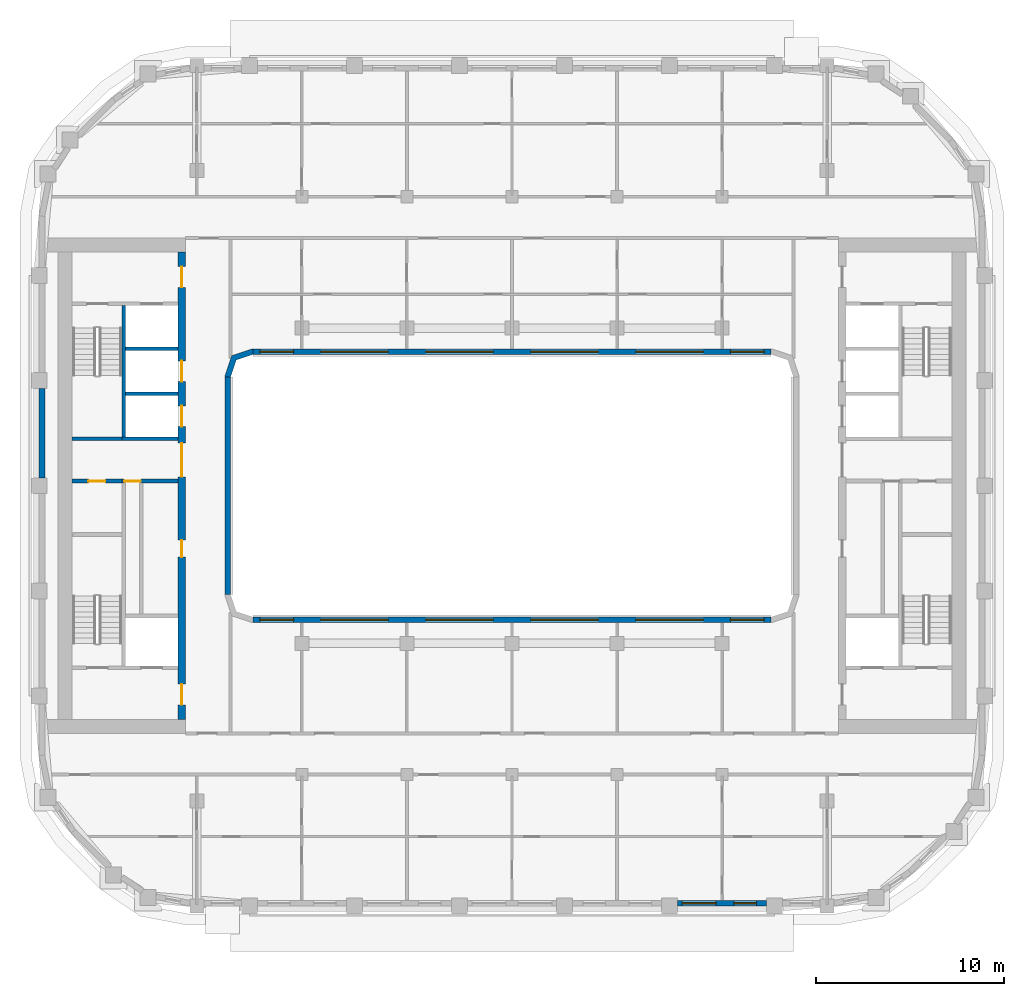
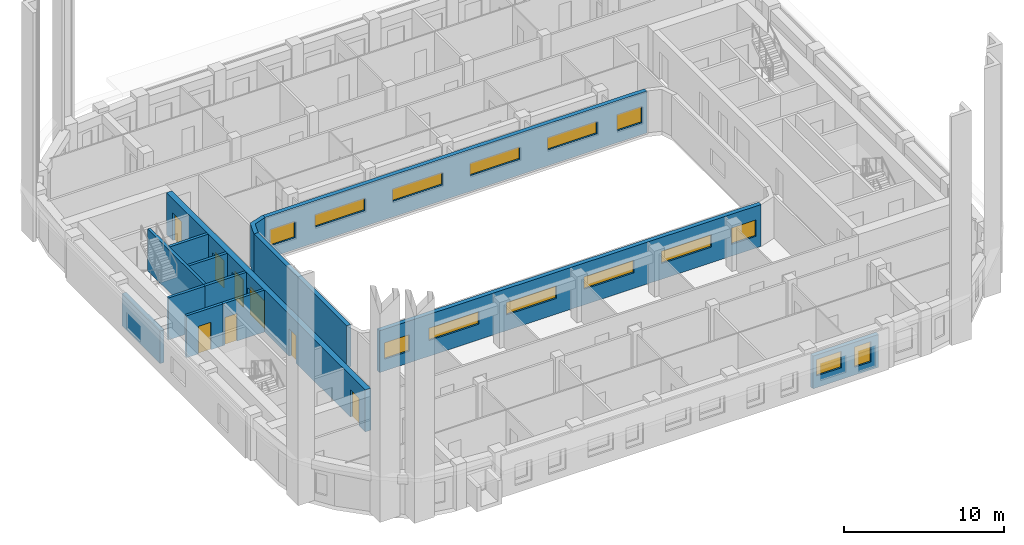
# One storey, part 4 of 21: 14 walls, 14 windows, 8 doors, 22 openings.
"""IFC4 building model written with IfcOpenShell, lengths in metres."""

import ifcopenshell
import ifcopenshell.guid

model = None  # the IFC model being written
_history = None  # IfcOwnerHistory: only IFC2X3 demands one
_inside = {}  # id of a spatial element -> (the spatial element, [elements in it])
_under = {}  # id of a project, library or spatial element -> (it, [spatial elements below it])
_declared = {}  # id of a project -> (the project, [libraries it declares])
_typed = {}  # id of a type object -> (the type object, [elements of that type])
_made_of = {}  # id of a material, layer set ... -> (it, [elements and type objects made of it])


def new_model(schema):
    """Start an empty IFC model of exactly this schema.

    Asked for "IFC4X3", IfcOpenShell would pick the latest addendum, in which some entities
    have other attributes; the version numbers below select the first issue.
    IFC2X3 requires an IfcOwnerHistory on every rooted entity: one is made here for all.
    """
    global model, _history
    if schema == "IFC4X3":
        model = ifcopenshell.file(schema_version=(4, 3, 0, 0))
    else:
        model = ifcopenshell.file(schema=schema)
    _inside.clear()
    _under.clear()
    _declared.clear()
    _typed.clear()
    _made_of.clear()
    _history = None
    if model.schema == "IFC2X3":
        org = make("IfcOrganization", Name="unknown")
        user = make(
            "IfcPersonAndOrganization",
            ThePerson=make("IfcPerson", FamilyName="unknown"),
            TheOrganization=org,
        )
        app = make(
            "IfcApplication",
            ApplicationDeveloper=org,
            Version="unknown",
            ApplicationFullName="unknown",
            ApplicationIdentifier="unknown",
        )
        _history = make(
            "IfcOwnerHistory",
            OwningUser=user,
            OwningApplication=app,
            ChangeAction="ADDED",
            CreationDate=0,
        )
    return model


def make(cls, **values):
    """One entity of the class cls with the attributes given. An attribute that is None is left unset."""
    return model.create_entity(
        cls, **{name: value for name, value in values.items() if value is not None}
    )


def rooted(cls, **values):
    """An entity with a GlobalId (a new one), such as an element, a storey or a relation."""
    return make(cls, GlobalId=ifcopenshell.guid.new(), OwnerHistory=_history, **values)


def si_unit(unit_type, name, prefix=None):
    """IfcSIUnit, for example si_unit("LENGTHUNIT", "METRE", prefix="MILLI")."""
    return make("IfcSIUnit", UnitType=unit_type, Prefix=prefix, Name=name)


def assignment(units):
    """IfcUnitAssignment: the units of a project."""
    return None if units is None else make("IfcUnitAssignment", Units=units)


def point(xyz):
    """IfcCartesianPoint."""
    return None if xyz is None else make("IfcCartesianPoint", Coordinates=xyz)


def direction(xyz):
    """IfcDirection."""
    return None if xyz is None else make("IfcDirection", DirectionRatios=xyz)


def frame(location, z_axis=None, x_axis=None):
    """IfcAxis2Placement3D, a coordinate frame: its origin and axes. An axis left out is left unset."""
    return make(
        "IfcAxis2Placement3D",
        Location=point(location),
        Axis=direction(z_axis),
        RefDirection=direction(x_axis),
    )


def frame_2d(location, x_axis=None):
    """IfcAxis2Placement2D, a coordinate frame in the plane: its origin and x axis."""
    return make(
        "IfcAxis2Placement2D", Location=point(location), RefDirection=direction(x_axis)
    )


def origin():
    """The frame at (0, 0, 0) with its axes left unset."""
    return frame((0.0, 0.0, 0.0))


def place(relative_to, where):
    """IfcLocalPlacement: puts the frame where relative to a parent placement (None: the world)."""
    return make(
        "IfcLocalPlacement", PlacementRelTo=relative_to, RelativePlacement=where
    )


def context(
    kind, dimensions, precision=None, world=None, true_north=None, identifier=None
):
    """IfcGeometricRepresentationContext, for example the 3D "Model" context."""
    return make(
        "IfcGeometricRepresentationContext",
        ContextIdentifier=identifier,
        ContextType=kind,
        CoordinateSpaceDimension=dimensions,
        Precision=precision,
        WorldCoordinateSystem=world,
        TrueNorth=true_north,
    )


def subcontext(parent, identifier, kind, view, scale=None):
    """IfcGeometricRepresentationSubContext, for example "Body" below "Model"."""
    return make(
        "IfcGeometricRepresentationSubContext",
        ContextIdentifier=identifier,
        ContextType=kind,
        ParentContext=parent,
        TargetScale=scale,
        TargetView=view,
    )


def project(units=None, contexts=None):
    """IfcProject with its units and contexts."""
    return rooted(
        "IfcProject",
        Name="project",
        RepresentationContexts=contexts,
        UnitsInContext=assignment(units),
    )


def spatial(cls, under=None, at=None, **own):
    """A site, building, storey or space (cls), placed at a placement, below another one or the project."""
    s = rooted(cls, ObjectPlacement=at, **own)
    if under is not None:
        _under.setdefault(under.id(), (under, []))[1].append(s)
    return s


def polyline(points):
    """IfcPolyline through the points."""
    return make("IfcPolyline", Points=[point(p) for p in points])


def profile(cls, at=None, kind="AREA", **sizes):
    """A parametric profile (cls). Its sizes go by their IFC names, for example OverallWidth=200.0."""
    return make(cls, ProfileType=kind, Position=at, **sizes)


def rectangle(**sizes):
    """IfcRectangleProfileDef."""
    return profile("IfcRectangleProfileDef", **sizes)


def outline(outer, holes=None, kind="AREA"):
    """IfcArbitraryClosedProfileDef: a profile drawn as a closed curve; with holes, ...WithVoids."""
    if holes is None:
        return make("IfcArbitraryClosedProfileDef", ProfileType=kind, OuterCurve=outer)
    return make(
        "IfcArbitraryProfileDefWithVoids",
        ProfileType=kind,
        OuterCurve=outer,
        InnerCurves=holes,
    )


def extrude(swept, where, along, depth):
    """IfcExtrudedAreaSolid: the profile swept, set in the frame where, extruded along a direction by depth."""
    return make(
        "IfcExtrudedAreaSolid",
        SweptArea=swept,
        Position=where,
        ExtrudedDirection=direction(along),
        Depth=depth,
    )


def shape(context_of_items, identifier, shape_type, items):
    """IfcShapeRepresentation: the items that make up one representation, for example the "Body"."""
    return make(
        "IfcShapeRepresentation",
        ContextOfItems=context_of_items,
        RepresentationIdentifier=identifier,
        RepresentationType=shape_type,
        Items=items,
    )


def material(Name=None, Category=None):
    """IfcMaterial."""
    return make("IfcMaterial", Name=Name, Category=Category)


def layer(
    of_material, thickness, ventilated=None, Name=None, Category=None, Priority=None
):
    """IfcMaterialLayer: one layer of a wall or slab, of a material (None: an air gap)."""
    return make(
        "IfcMaterialLayer",
        Material=of_material,
        LayerThickness=thickness,
        IsVentilated=ventilated,
        Name=Name,
        Category=Category,
        Priority=Priority,
    )


def layer_set(layers, Name=None):
    """IfcMaterialLayerSet."""
    return make("IfcMaterialLayerSet", MaterialLayers=layers, LayerSetName=Name)


def made_of(thing, what):
    """Note that an element or type object is made of a material, layer set ...; save() writes the relation."""
    if what is not None:
        _made_of.setdefault(what.id(), (what, []))[1].append(thing)
    return thing


def type_object(cls, material=None, **own):
    """A type object (cls), such as IfcWallType, which elements share."""
    return made_of(rooted(cls, **own), material)


def element(
    cls,
    number,
    at=None,
    inside=None,
    cuts=None,
    type_object=None,
    material=None,
    context=None,
    identifier="Body",
    shape_type=None,
    held_by="IfcProductDefinitionShape",
    body=None,
    shapes=None,
    **own,
):
    """One element of the class cls, such as IfcWall. Its Tag is "e" and its number.

    at: its placement. inside: the storey or other place that contains it. cuts: it is an
    opening in that element (IfcRelVoidsElement). A single representation is given by context,
    identifier, shape_type and body (its items); several are given by shapes. held_by: the class
    of the entity that holds the representations. save() writes the other relations.
    """
    e = rooted(cls, Tag="e%d" % number, ObjectPlacement=at, **own)
    if body is not None:
        shapes = [shape(context, identifier, shape_type, body)]
    if shapes is not None:
        e.Representation = make(held_by, Representations=shapes)
    if inside is not None:
        _inside.setdefault(inside.id(), (inside, []))[1].append(e)
    if cuts is not None:
        rooted(
            "IfcRelVoidsElement", RelatingBuildingElement=cuts, RelatedOpeningElement=e
        )
    if type_object is not None:
        _typed.setdefault(type_object.id(), (type_object, []))[1].append(e)
    return made_of(e, material)


def fill(opening, filler):
    """IfcRelFillsElement: the door or window that sits in an opening."""
    return rooted(
        "IfcRelFillsElement",
        RelatingOpeningElement=opening,
        RelatedBuildingElement=filler,
    )


def aggregate(whole, parts):
    """IfcRelAggregates: a whole, such as a stair, and the parts it consists of."""
    return rooted("IfcRelAggregates", RelatingObject=whole, RelatedObjects=parts)


def save(model, path):
    """Write the relations noted so far, then the file.

    IfcRelAggregates (storeys below a building ...), IfcRelContainedInSpatialStructure (elements
    in a storey), IfcRelDefinesByType, IfcRelAssociatesMaterial and IfcRelDeclares: one each for
    every whole, place, type object, material and project.
    """
    for whole, parts in _under.values():
        aggregate(whole, parts)
    for where, things in _inside.values():
        rooted(
            "IfcRelContainedInSpatialStructure",
            RelatedElements=things,
            RelatingStructure=where,
        )
    for kind, things in _typed.values():
        rooted("IfcRelDefinesByType", RelatedObjects=things, RelatingType=kind)
    for what, things in _made_of.values():
        rooted("IfcRelAssociatesMaterial", RelatedObjects=things, RelatingMaterial=what)
    for by, libraries in _declared.values():
        rooted("IfcRelDeclares", RelatingContext=by, RelatedDefinitions=libraries)
    model.write(path)


model = new_model("IFC4")

# Units and contexts
model_context = context("Model", 3, precision=1e-05, world=origin(), true_north=direction((0.0, 1.0)))
body_context = subcontext(model_context, "Body", "Model", "MODEL_VIEW")
ifc_project = project(units=[si_unit("LENGTHUNIT", "METRE"), si_unit("AREAUNIT", "SQUARE_METRE"), si_unit("VOLUMEUNIT", "CUBIC_METRE"), si_unit("PLANEANGLEUNIT", "RADIAN"), si_unit("MASSUNIT", "GRAM", prefix="KILO")], contexts=[model_context])

# Site, building, storey
site_placement = place(None, origin())
site = spatial("IfcSite", under=ifc_project, at=site_placement, CompositionType="ELEMENT")
building_placement = place(site_placement, origin())
building = spatial("IfcBuilding", under=site, at=building_placement, Name="Kiln Ring Residences", CompositionType="ELEMENT")
storey_placement = place(building_placement, frame((0.0, 0.0, 213.39990234375)))
storey = spatial("IfcBuildingStorey", under=building, at=storey_placement, Name="L55", CompositionType="ELEMENT", Elevation=213.39990234375)

# Wall, opening, door
ifc_material_1 = material(Name="Gypsum board on steel studs", Category="steel")
ifc_layer_1 = layer(ifc_material_1, 0.199951171875)
ifc_layer_set_1 = layer_set([ifc_layer_1], Name="CORE-PARTITION-200")
wall_type_1 = type_object("IfcWallType", Name="CORE-PARTITION-200", PredefinedType="PARTITIONING", material=ifc_layer_set_1)
wall_1_placement = place(storey_placement, frame((-20.800048828125, 0.25, 0.0), z_axis=(0.0, 0.0, 1.0), x_axis=(-1.0, 0.0, 0.0)))
wall_1 = element("IfcWall", 1, at=wall_1_placement, inside=storey, type_object=wall_type_1, Name="Core partition west L55 1", PredefinedType="PARTITIONING", context=body_context, shape_type="SweptSolid", body=[
    extrude(rectangle(XDim=2.64990234375, YDim=0.199951171875, at=frame_2d((1.324951171875, 0.0))), origin(), (0.0, 0.0, 1.0), 3.2001953125),
])
opening_1_placement = place(wall_1_placement, frame((0.875, 0.0, 0.0)))
opening_1 = element("IfcOpeningElement", 2, at=opening_1_placement, cuts=wall_1, Name="Opening L55-CW12", PredefinedType="OPENING", context=body_context, shape_type="SweptSolid", body=[
    extrude(rectangle(XDim=0.89990234375, YDim=2.10009765625, at=frame_2d((0.449951171875, 1.050048828125))), frame((0.0, 0.10986328125, 0.0), z_axis=(0.0, -1.0, 0.0), x_axis=(1.0, 0.0, 0.0)), (0.0, 0.0, 1.0), 0.219970703125),
])
ifc_material_2 = material(Name="Steel door leaf", Category="steel")
door_type_1 = type_object("IfcDoorType", Name="CORE-DOOR-ROOM", OperationType="SINGLE_SWING_LEFT", PredefinedType="DOOR", material=ifc_material_2)
door_1_placement = place(opening_1_placement, origin())
door_1 = element("IfcDoor", 3, at=door_1_placement, inside=storey, type_object=door_type_1, Name="Linen store L55-CW12", OperationType="SINGLE_SWING_RIGHT", OverallHeight=2.10009765625, OverallWidth=0.89990234375, PredefinedType="DOOR", context=body_context, shape_type="SweptSolid", body=[
    extrude(rectangle(XDim=0.89990234375, YDim=2.10009765625, at=frame_2d((0.449951171875, 1.050048828125))), frame((0.0, 0.02490234375, 0.0), z_axis=(0.0, -1.0, 0.0), x_axis=(1.0, 0.0, 0.0)), (0.0, 0.0, 1.0), 0.050048828125),
])
fill(opening_1, door_1)

ifc_material_3 = material(Name="Gypsum shaft wall system")
ifc_layer_2 = layer(ifc_material_3, 0.199951171875)
ifc_layer_set_2 = layer_set([ifc_layer_2], Name="CORE-SHAFT-WALL-200")
wall_type_2 = type_object("IfcWallType", Name="CORE-SHAFT-WALL-200", PredefinedType="PARTITIONING", material=ifc_layer_set_2)
wall_2_placement = place(storey_placement, frame((-17.800048828125, 0.25, 0.0), z_axis=(0.0, 0.0, 1.0), x_axis=(-1.0, 0.0, 0.0)))
wall_2 = element("IfcWall", 4, at=wall_2_placement, inside=storey, type_object=wall_type_2, Name="Core partition west L55 4", PredefinedType="PARTITIONING", context=body_context, shape_type="SweptSolid", body=[
    extrude(rectangle(XDim=3.0, YDim=0.199951171875, at=frame_2d((1.5, 0.0))), origin(), (0.0, 0.0, 1.0), 3.2001953125),
])
opening_2_placement = place(wall_2_placement, frame((1.97998046875, 0.0, 0.0)))
opening_2 = element("IfcOpeningElement", 5, at=opening_2_placement, cuts=wall_2, Name="Opening L55-CW03", PredefinedType="OPENING", context=body_context, shape_type="SweptSolid", body=[
    extrude(rectangle(XDim=0.89990234375, YDim=2.10009765625, at=frame_2d((0.449951171875, 1.050048828125))), frame((0.0, 0.10986328125, 0.0), z_axis=(0.0, -1.0, 0.0), x_axis=(1.0, 0.0, 0.0)), (0.0, 0.0, 1.0), 0.219970703125),
])
door_2_placement = place(opening_2_placement, origin())
door_2 = element("IfcDoor", 6, at=door_2_placement, inside=storey, type_object=door_type_1, Name="Waste room L55-CW03", OperationType="SINGLE_SWING_LEFT", OverallHeight=2.10009765625, OverallWidth=0.89990234375, PredefinedType="DOOR", context=body_context, shape_type="SweptSolid", body=[
    extrude(rectangle(XDim=0.89990234375, YDim=2.10009765625, at=frame_2d((0.449951171875, 1.050048828125))), frame((0.0, 0.02490234375, 0.0), z_axis=(0.0, -1.0, 0.0), x_axis=(1.0, 0.0, 0.0)), (0.0, 0.0, 1.0), 0.050048828125),
])
fill(opening_2, door_2)

# Walls
wall_3_placement = place(storey_placement, frame((-17.800048828125, 2.5, 0.0), z_axis=(0.0, 0.0, 1.0), x_axis=(-1.0, 0.0, 0.0)))
element("IfcWall", 7, at=wall_3_placement, inside=storey, type_object=wall_type_2, Name="Core partition west L55 5", PredefinedType="PARTITIONING", context=body_context, shape_type="SweptSolid", body=[
    extrude(rectangle(XDim=3.0, YDim=0.199951171875, at=frame_2d((1.5, 0.0))), origin(), (0.0, 0.0, 1.0), 3.2001953125),
])
for number, where, z_axis, x_axis, name in (
    (8, (-17.800048828125, 4.89990234375, 0.0), (0.0, 0.0, 1.0), (-1.0, 0.0, 0.0), "Core partition west L55 6"),
    (9, (-17.800048828125, 7.300048828125, 0.0), (0.0, 0.0, 1.0), (-1.0, 0.0, 0.0), "Core partition west L55 7"),
):
    element("IfcWall", number, at=place(storey_placement, frame(where, z_axis=z_axis, x_axis=x_axis)), inside=storey, type_object=wall_type_2, Name=name, PredefinedType="PARTITIONING", context=body_context, shape_type="SweptSolid", body=[
        extrude(rectangle(XDim=2.800048828125, YDim=0.199951171875, at=frame_2d((1.39990234375, 0.0))), origin(), (0.0, 0.0, 1.0), 3.2001953125),
    ])
ifc_material_4 = material(Name="Concrete C40/50", Category="concrete")
ifc_layer_3 = layer(ifc_material_4, 0.199951171875)
ifc_layer_set_3 = layer_set([ifc_layer_3], Name="CORE-WALL-RC200")
wall_type_3 = type_object("IfcWallType", Name="CORE-WALL-RC200", PredefinedType="SHEAR", material=ifc_layer_set_3)
wall_4_placement = place(storey_placement, frame((-20.699951171875, 2.60009765625, 0.0), z_axis=(0.0, 0.0, 1.0), x_axis=(0.0, 1.0, 0.0)))
element("IfcWall", 10, at=wall_4_placement, inside=storey, type_object=wall_type_3, Name="Core wall west L55 1", PredefinedType="SHEAR", context=body_context, shape_type="SweptSolid", body=[
    extrude(rectangle(XDim=7.0, YDim=0.199951171875, at=frame_2d((3.5, 0.0))), origin(), (0.0, 0.0, 1.0), 3.2001953125),
])
wall_5_placement = place(storey_placement, frame((-20.800048828125, 2.5, 0.0), z_axis=(0.0, 0.0, 1.0), x_axis=(-1.0, 0.0, 0.0)))
element("IfcWall", 11, at=wall_5_placement, inside=storey, type_object=wall_type_3, Name="Core wall west L55 3", PredefinedType="SHEAR", context=body_context, shape_type="SweptSolid", body=[
    extrude(rectangle(XDim=2.64990234375, YDim=0.199951171875, at=frame_2d((1.324951171875, 0.0))), origin(), (0.0, 0.0, 1.0), 3.2001953125),
])

# Wall, openings, doors
ifc_material_5 = material(Name="Concrete C60/75", Category="concrete")
ifc_layer_4 = layer(ifc_material_5, 0.39990234375)
ifc_layer_set_4 = layer_set([ifc_layer_4], Name="CORE-WALL-RC400")
wall_type_4 = type_object("IfcWallType", Name="CORE-WALL-RC400", PredefinedType="SHEAR", material=ifc_layer_set_4)
wall_6_placement = place(storey_placement, frame((-17.60009765625, -12.449951171875, 0.0), z_axis=(0.0, 0.0, 1.0), x_axis=(0.0, 1.0, 0.0)))
wall_6 = element("IfcWall", 12, at=wall_6_placement, inside=storey, type_object=wall_type_4, Name="Core wall west L55 6", PredefinedType="SHEAR", context=body_context, shape_type="SweptSolid", body=[
    extrude(rectangle(XDim=24.89990234375, YDim=0.39990234375, at=frame_2d((12.449951171875, 0.0))), origin(), (0.0, 0.0, 1.0), 3.2001953125),
])
opening_3_placement = place(wall_6_placement, frame((8.64990234375, 0.0, 0.0)))
opening_3 = element("IfcOpeningElement", 13, at=opening_3_placement, cuts=wall_6, Name="Opening L55-CW02", PredefinedType="OPENING", context=body_context, shape_type="SweptSolid", body=[
    extrude(rectangle(XDim=0.89990234375, YDim=2.10009765625, at=frame_2d((0.449951171875, 1.050048828125))), frame((0.0, 0.2099609375, 0.0), z_axis=(0.0, -1.0, 0.0), x_axis=(1.0, 0.0, 0.0)), (0.0, 0.0, 1.0), 0.419921875),
])
opening_4_placement = place(wall_6_placement, frame((15.60009765625, 0.0, 0.0)))
opening_4 = element("IfcOpeningElement", 14, at=opening_4_placement, cuts=wall_6, Name="Opening L55-CW04", PredefinedType="OPENING", context=body_context, shape_type="SweptSolid", body=[
    extrude(rectangle(XDim=1.10009765625, YDim=2.10009765625, at=frame_2d((0.550048828125, 1.050048828125))), frame((0.0, 0.2099609375, 0.0), z_axis=(0.0, -1.0, 0.0), x_axis=(1.0, 0.0, 0.0)), (0.0, 0.0, 1.0), 0.419921875),
])
opening_5_placement = place(wall_6_placement, frame((18.0, 0.0, 0.0)))
opening_5 = element("IfcOpeningElement", 15, at=opening_5_placement, cuts=wall_6, Name="Opening L55-CW05", PredefinedType="OPENING", context=body_context, shape_type="SweptSolid", body=[
    extrude(rectangle(XDim=1.10009765625, YDim=2.10009765625, at=frame_2d((0.550048828125, 1.050048828125))), frame((0.0, 0.2099609375, 0.0), z_axis=(0.0, -1.0, 0.0), x_axis=(1.0, 0.0, 0.0)), (0.0, 0.0, 1.0), 0.419921875),
])
opening_6_placement = place(wall_6_placement, frame((23.02490234375, 0.0, 0.0)))
opening_6 = element("IfcOpeningElement", 16, at=opening_6_placement, cuts=wall_6, Name="Opening L55-CW07", PredefinedType="OPENING", context=body_context, shape_type="SweptSolid", body=[
    extrude(rectangle(XDim=1.10009765625, YDim=2.10009765625, at=frame_2d((0.550048828125, 1.050048828125))), frame((0.0, 0.2099609375, 0.0), z_axis=(0.0, -1.0, 0.0), x_axis=(1.0, 0.0, 0.0)), (0.0, 0.0, 1.0), 0.419921875),
])
opening_7_placement = place(wall_6_placement, frame((0.77490234375, 0.0, 0.0)))
opening_7 = element("IfcOpeningElement", 17, at=opening_7_placement, cuts=wall_6, Name="Opening L55-CW08", PredefinedType="OPENING", context=body_context, shape_type="SweptSolid", body=[
    extrude(rectangle(XDim=1.10009765625, YDim=2.10009765625, at=frame_2d((0.550048828125, 1.050048828125))), frame((0.0, 0.2099609375, 0.0), z_axis=(0.0, -1.0, 0.0), x_axis=(1.0, 0.0, 0.0)), (0.0, 0.0, 1.0), 0.419921875),
])
opening_8_placement = place(wall_6_placement, frame((12.925048828125, 0.0, 0.0)))
opening_8 = element("IfcOpeningElement", 18, at=opening_8_placement, cuts=wall_6, Name="Opening L55-CW11", PredefinedType="OPENING", context=body_context, shape_type="SweptSolid", body=[
    extrude(rectangle(XDim=1.800048828125, YDim=2.10009765625, at=frame_2d((0.89990234375, 1.050048828125))), frame((0.0, 0.2099609375, 0.0), z_axis=(0.0, -1.0, 0.0), x_axis=(1.0, 0.0, 0.0)), (0.0, 0.0, 1.0), 0.419921875),
])
ifc_material_6 = material(Name="Steel door leaf", Category="steel")
door_type_2 = type_object("IfcDoorType", Name="CORE-DOOR-LD", OperationType="DOUBLE_DOOR_SLIDING", PredefinedType="DOOR", material=ifc_material_6)
door_3_placement = place(opening_4_placement, origin())
door_3 = element("IfcDoor", 19, at=door_3_placement, inside=storey, type_object=door_type_2, Name="LD W-M1 L55-CW04", OperationType="DOUBLE_DOOR_SLIDING", OverallHeight=2.10009765625, OverallWidth=1.10009765625, PredefinedType="DOOR", context=body_context, shape_type="SweptSolid", body=[
    extrude(rectangle(XDim=1.10009765625, YDim=2.10009765625, at=frame_2d((0.550048828125, 1.050048828125))), frame((0.0, 0.02490234375, 0.0), z_axis=(0.0, -1.0, 0.0), x_axis=(1.0, 0.0, 0.0)), (0.0, 0.0, 1.0), 0.050048828125),
])
fill(opening_4, door_3)
door_4_placement = place(opening_5_placement, origin())
door_4 = element("IfcDoor", 20, at=door_4_placement, inside=storey, type_object=door_type_2, Name="LD W-M2 L55-CW05", OperationType="DOUBLE_DOOR_SLIDING", OverallHeight=2.10009765625, OverallWidth=1.10009765625, PredefinedType="DOOR", context=body_context, shape_type="SweptSolid", body=[
    extrude(rectangle(XDim=1.10009765625, YDim=2.10009765625, at=frame_2d((0.550048828125, 1.050048828125))), frame((0.0, 0.02490234375, 0.0), z_axis=(0.0, -1.0, 0.0), x_axis=(1.0, 0.0, 0.0)), (0.0, 0.0, 1.0), 0.050048828125),
])
fill(opening_5, door_4)
ifc_material_7 = material(Name="Steel door leaf", Category="steel")
door_type_3 = type_object("IfcDoorType", Name="CORE-DOOR-LOBBY", OperationType="SINGLE_SWING_LEFT", PredefinedType="DOOR", material=ifc_material_7)
door_5_placement = place(opening_6_placement, origin())
door_5 = element("IfcDoor", 21, at=door_5_placement, inside=storey, type_object=door_type_3, Name="FFL L55-CW07", OperationType="SINGLE_SWING_RIGHT", OverallHeight=2.10009765625, OverallWidth=1.10009765625, PredefinedType="DOOR", context=body_context, shape_type="SweptSolid", body=[
    extrude(rectangle(XDim=1.10009765625, YDim=2.10009765625, at=frame_2d((0.550048828125, 1.050048828125))), frame((0.0, 0.02490234375, 0.0), z_axis=(0.0, -1.0, 0.0), x_axis=(1.0, 0.0, 0.0)), (0.0, 0.0, 1.0), 0.050048828125),
])
fill(opening_6, door_5)
door_6_placement = place(opening_7_placement, origin())
door_6 = element("IfcDoor", 22, at=door_6_placement, inside=storey, type_object=door_type_3, Name="SVL L55-CW08", OperationType="SINGLE_SWING_LEFT", OverallHeight=2.10009765625, OverallWidth=1.10009765625, PredefinedType="DOOR", context=body_context, shape_type="SweptSolid", body=[
    extrude(rectangle(XDim=1.10009765625, YDim=2.10009765625, at=frame_2d((0.550048828125, 1.050048828125))), frame((0.0, 0.02490234375, 0.0), z_axis=(0.0, -1.0, 0.0), x_axis=(1.0, 0.0, 0.0)), (0.0, 0.0, 1.0), 0.050048828125),
])
fill(opening_7, door_6)
ifc_material_8 = material(Name="Steel door leaf", Category="steel")
door_type_4 = type_object("IfcDoorType", Name="CORE-DOOR-PASS", OperationType="DOUBLE_DOOR_SINGLE_SWING", PredefinedType="DOOR", material=ifc_material_8)
door_7_placement = place(opening_8_placement, origin())
door_7 = element("IfcDoor", 23, at=door_7_placement, inside=storey, type_object=door_type_4, Name="Core passage L55-CW11", OperationType="DOUBLE_DOOR_SINGLE_SWING", OverallHeight=2.10009765625, OverallWidth=1.800048828125, PredefinedType="DOOR", context=body_context, shape_type="SweptSolid", body=[
    extrude(rectangle(XDim=1.800048828125, YDim=2.10009765625, at=frame_2d((0.89990234375, 1.050048828125))), frame((0.0, 0.02490234375, 0.0), z_axis=(0.0, -1.0, 0.0), x_axis=(1.0, 0.0, 0.0)), (0.0, 0.0, 1.0), 0.050048828125),
])
fill(opening_8, door_7)
door_8_placement = place(opening_3_placement, origin())
door_8 = element("IfcDoor", 24, at=door_8_placement, inside=storey, type_object=door_type_1, Name="Janitor's store L55-CW02", OperationType="SINGLE_SWING_RIGHT", OverallHeight=2.10009765625, OverallWidth=0.89990234375, PredefinedType="DOOR", context=body_context, shape_type="SweptSolid", body=[
    extrude(rectangle(XDim=0.89990234375, YDim=2.10009765625, at=frame_2d((0.449951171875, 1.050048828125))), frame((0.0, 0.02490234375, 0.0), z_axis=(0.0, -1.0, 0.0), x_axis=(1.0, 0.0, 0.0)), (0.0, 0.0, 1.0), 0.050048828125),
])
fill(opening_3, door_8)

# Wall, openings, windows
ifc_material_9 = material(Name="Brick masonry, dark clay brick", Category="masonry")
ifc_layer_5 = layer(ifc_material_9, 0.300048828125)
ifc_layer_set_5 = layer_set([ifc_layer_5], Name="EW-300 BRICK WALL")
wall_type_5 = type_object("IfcWallType", Name="EW-300 BRICK WALL", PredefinedType="SOLIDWALL", material=ifc_layer_set_5)
wall_7_placement = place(storey_placement, frame((8.824951171875, -22.25, 0.0), z_axis=(0.0, 0.0, 1.0), x_axis=(1.0, 0.0, 0.0)))
wall_7 = element("IfcWall", 25, at=wall_7_placement, inside=storey, type_object=wall_type_5, Name="Facade wall L55 9", PredefinedType="SOLIDWALL", context=body_context, shape_type="SweptSolid", body=[
    extrude(rectangle(XDim=4.75, YDim=0.300048828125, at=frame_2d((2.375, 0.0))), origin(), (0.0, 0.0, 1.0), 2.5),
])
opening_9_placement = place(wall_7_placement, frame((0.25, 0.0, 0.89990234375)))
opening_9 = element("IfcOpeningElement", 26, at=opening_9_placement, cuts=wall_7, Name="Opening W2", PredefinedType="OPENING", context=body_context, shape_type="SweptSolid", body=[
    extrude(rectangle(XDim=1.800048828125, YDim=1.25, at=frame_2d((0.89990234375, 0.625))), frame((0.0, 0.159912109375, 0.0), z_axis=(0.0, -1.0, 0.0), x_axis=(1.0, 0.0, 0.0)), (0.0, 0.0, 1.0), 0.320068359375),
])
opening_10_placement = place(wall_7_placement, frame((3.0, 0.0, 0.60009765625)))
opening_10 = element("IfcOpeningElement", 27, at=opening_10_placement, cuts=wall_7, Name="Opening W1", PredefinedType="OPENING", context=body_context, shape_type="SweptSolid", body=[
    extrude(rectangle(XDim=1.199951171875, YDim=1.550048828125, at=frame_2d((0.60009765625, 0.77490234375))), frame((0.0, 0.159912109375, 0.0), z_axis=(0.0, -1.0, 0.0), x_axis=(1.0, 0.0, 0.0)), (0.0, 0.0, 1.0), 0.320068359375),
])
ifc_material_10 = material(Name="Aluminium frame with double glazing", Category="aluminium")
window_type_1 = type_object("IfcWindowType", Name="WINDOW 1200 x 1550", PartitioningType="SINGLE_PANEL", PredefinedType="WINDOW", material=ifc_material_10)
window_1_placement = place(opening_10_placement, origin())
window_1 = element("IfcWindow", 28, at=window_1_placement, inside=storey, type_object=window_type_1, Name="Window L55 12", OverallHeight=1.550048828125, OverallWidth=1.199951171875, PartitioningType="SINGLE_PANEL", PredefinedType="WINDOW", context=body_context, shape_type="SweptSolid", body=[
    extrude(rectangle(XDim=1.199951171875, YDim=1.550048828125, at=frame_2d((0.60009765625, 0.77490234375))), frame((0.0, 0.030029296875, 0.0), z_axis=(0.0, -1.0, 0.0), x_axis=(1.0, 0.0, 0.0)), (0.0, 0.0, 1.0), 0.06005859375),
])
fill(opening_10, window_1)
ifc_material_11 = material(Name="Aluminium frame with double glazing", Category="aluminium")
window_type_2 = type_object("IfcWindowType", Name="WINDOW 1800 x 1250", PartitioningType="SINGLE_PANEL", PredefinedType="WINDOW", material=ifc_material_11)
window_2_placement = place(opening_9_placement, origin())
window_2 = element("IfcWindow", 29, at=window_2_placement, inside=storey, type_object=window_type_2, Name="Window L55 11", OverallHeight=1.25, OverallWidth=1.800048828125, PartitioningType="SINGLE_PANEL", PredefinedType="WINDOW", context=body_context, shape_type="SweptSolid", body=[
    extrude(rectangle(XDim=1.800048828125, YDim=1.25, at=frame_2d((0.89990234375, 0.625))), frame((0.0, 0.030029296875, 0.0), z_axis=(0.0, -1.0, 0.0), x_axis=(1.0, 0.0, 0.0)), (0.0, 0.0, 1.0), 0.06005859375),
])
fill(opening_9, window_2)

# Walls
wall_8_placement = place(storey_placement, frame((-25.050048828125, 5.175048828125, 0.0), z_axis=(0.0, 0.0, 1.0), x_axis=(0.0, -1.0, 0.0)))
element("IfcWall", 30, at=wall_8_placement, inside=storey, type_object=wall_type_5, Name="Facade wall L55 41", PredefinedType="SOLIDWALL", context=body_context, shape_type="SweptSolid", body=[
    extrude(rectangle(XDim=4.75, YDim=0.300048828125, at=frame_2d((2.375, 0.0))), origin(), (0.0, 0.0, 1.0), 2.5),
])
wall_9_placement = place(storey_placement, frame((-15.14990234375, -5.800048828125, 0.0), z_axis=(0.0, 0.0, 1.0), x_axis=(0.0, 1.0, 0.0)))
element("IfcWall", 31, at=wall_9_placement, inside=storey, type_object=wall_type_5, Name="Facade wall L55 47", PredefinedType="SOLIDWALL", context=body_context, shape_type="SweptSolid", body=[
    extrude(rectangle(XDim=11.60009765625, YDim=0.300048828125, at=frame_2d((5.800048828125, 0.0))), origin(), (0.0, 0.0, 1.0), 3.2001953125),
])

# Wall, openings, windows
wall_10_placement = place(storey_placement, frame((-13.800048828125, 7.14990234375, 0.0), z_axis=(0.0, 0.0, 1.0), x_axis=(1.0, 0.0, 0.0)))
wall_10 = element("IfcWall", 32, at=wall_10_placement, inside=storey, type_object=wall_type_5, Name="Facade wall L55 48", PredefinedType="SOLIDWALL", context=body_context, shape_type="SweptSolid", body=[
    extrude(rectangle(XDim=27.60009765625, YDim=0.300048828125, at=frame_2d((13.800048828125, 0.0))), origin(), (0.0, 0.0, 1.0), 3.2001953125),
])
opening_11_placement = place(wall_10_placement, frame((0.362548828125, 0.0, 0.89990234375)))
opening_11 = element("IfcOpeningElement", 33, at=opening_11_placement, cuts=wall_10, Name="Opening W2", PredefinedType="OPENING", context=body_context, shape_type="SweptSolid", body=[
    extrude(rectangle(XDim=1.800048828125, YDim=1.25, at=frame_2d((0.89990234375, 0.625))), frame((0.0, 0.159912109375, 0.0), z_axis=(0.0, -1.0, 0.0), x_axis=(1.0, 0.0, 0.0)), (0.0, 0.0, 1.0), 0.320068359375),
])
opening_12_placement = place(wall_10_placement, frame((3.60009765625, 0.0, 1.199951171875)))
opening_12 = element("IfcOpeningElement", 34, at=opening_12_placement, cuts=wall_10, Name="Opening W4", PredefinedType="OPENING", context=body_context, shape_type="SweptSolid", body=[
    extrude(rectangle(XDim=3.60009765625, YDim=0.949951171875, at=frame_2d((1.800048828125, 0.47509765625))), frame((0.0, 0.159912109375, 0.0), z_axis=(0.0, -1.0, 0.0), x_axis=(1.0, 0.0, 0.0)), (0.0, 0.0, 1.0), 0.320068359375),
])
opening_13_placement = place(wall_10_placement, frame((9.199951171875, 0.0, 1.199951171875)))
opening_13 = element("IfcOpeningElement", 35, at=opening_13_placement, cuts=wall_10, Name="Opening W4", PredefinedType="OPENING", context=body_context, shape_type="SweptSolid", body=[
    extrude(rectangle(XDim=3.60009765625, YDim=0.949951171875, at=frame_2d((1.800048828125, 0.47509765625))), frame((0.0, 0.159912109375, 0.0), z_axis=(0.0, -1.0, 0.0), x_axis=(1.0, 0.0, 0.0)), (0.0, 0.0, 1.0), 0.320068359375),
])
opening_14_placement = place(wall_10_placement, frame((14.800048828125, 0.0, 1.199951171875)))
opening_14 = element("IfcOpeningElement", 36, at=opening_14_placement, cuts=wall_10, Name="Opening W4", PredefinedType="OPENING", context=body_context, shape_type="SweptSolid", body=[
    extrude(rectangle(XDim=3.60009765625, YDim=0.949951171875, at=frame_2d((1.800048828125, 0.47509765625))), frame((0.0, 0.159912109375, 0.0), z_axis=(0.0, -1.0, 0.0), x_axis=(1.0, 0.0, 0.0)), (0.0, 0.0, 1.0), 0.320068359375),
])
opening_15_placement = place(wall_10_placement, frame((20.39990234375, 0.0, 1.199951171875)))
opening_15 = element("IfcOpeningElement", 37, at=opening_15_placement, cuts=wall_10, Name="Opening W4", PredefinedType="OPENING", context=body_context, shape_type="SweptSolid", body=[
    extrude(rectangle(XDim=3.60009765625, YDim=0.949951171875, at=frame_2d((1.800048828125, 0.47509765625))), frame((0.0, 0.159912109375, 0.0), z_axis=(0.0, -1.0, 0.0), x_axis=(1.0, 0.0, 0.0)), (0.0, 0.0, 1.0), 0.320068359375),
])
opening_16_placement = place(wall_10_placement, frame((25.4375, 0.0, 0.89990234375)))
opening_16 = element("IfcOpeningElement", 38, at=opening_16_placement, cuts=wall_10, Name="Opening W2", PredefinedType="OPENING", context=body_context, shape_type="SweptSolid", body=[
    extrude(rectangle(XDim=1.800048828125, YDim=1.25, at=frame_2d((0.89990234375, 0.625))), frame((0.0, 0.159912109375, 0.0), z_axis=(0.0, -1.0, 0.0), x_axis=(1.0, 0.0, 0.0)), (0.0, 0.0, 1.0), 0.320068359375),
])
window_3_placement = place(opening_11_placement, origin())
window_3 = element("IfcWindow", 39, at=window_3_placement, inside=storey, type_object=window_type_2, Name="Window L55 34", OverallHeight=1.25, OverallWidth=1.800048828125, PartitioningType="SINGLE_PANEL", PredefinedType="WINDOW", context=body_context, shape_type="SweptSolid", body=[
    extrude(rectangle(XDim=1.800048828125, YDim=1.25, at=frame_2d((0.89990234375, 0.625))), frame((0.0, 0.030029296875, 0.0), z_axis=(0.0, -1.0, 0.0), x_axis=(1.0, 0.0, 0.0)), (0.0, 0.0, 1.0), 0.06005859375),
])
fill(opening_11, window_3)
window_4_placement = place(opening_16_placement, origin())
window_4 = element("IfcWindow", 40, at=window_4_placement, inside=storey, type_object=window_type_2, Name="Window L55 39", OverallHeight=1.25, OverallWidth=1.800048828125, PartitioningType="SINGLE_PANEL", PredefinedType="WINDOW", context=body_context, shape_type="SweptSolid", body=[
    extrude(rectangle(XDim=1.800048828125, YDim=1.25, at=frame_2d((0.89990234375, 0.625))), frame((0.0, 0.030029296875, 0.0), z_axis=(0.0, -1.0, 0.0), x_axis=(1.0, 0.0, 0.0)), (0.0, 0.0, 1.0), 0.06005859375),
])
fill(opening_16, window_4)
ifc_material_12 = material(Name="Aluminium frame with double glazing", Category="aluminium")
window_type_3 = type_object("IfcWindowType", Name="WINDOW 3600 x 950", PartitioningType="SINGLE_PANEL", PredefinedType="WINDOW", material=ifc_material_12)
window_5_placement = place(opening_12_placement, origin())
window_5 = element("IfcWindow", 41, at=window_5_placement, inside=storey, type_object=window_type_3, Name="Window L55 35", OverallHeight=0.949951171875, OverallWidth=3.60009765625, PartitioningType="SINGLE_PANEL", PredefinedType="WINDOW", context=body_context, shape_type="SweptSolid", body=[
    extrude(rectangle(XDim=3.60009765625, YDim=0.949951171875, at=frame_2d((1.800048828125, 0.47509765625))), frame((0.0, 0.030029296875, 0.0), z_axis=(0.0, -1.0, 0.0), x_axis=(1.0, 0.0, 0.0)), (0.0, 0.0, 1.0), 0.06005859375),
])
fill(opening_12, window_5)
window_6_placement = place(opening_13_placement, origin())
window_6 = element("IfcWindow", 42, at=window_6_placement, inside=storey, type_object=window_type_3, Name="Window L55 36", OverallHeight=0.949951171875, OverallWidth=3.60009765625, PartitioningType="SINGLE_PANEL", PredefinedType="WINDOW", context=body_context, shape_type="SweptSolid", body=[
    extrude(rectangle(XDim=3.60009765625, YDim=0.949951171875, at=frame_2d((1.800048828125, 0.47509765625))), frame((0.0, 0.030029296875, 0.0), z_axis=(0.0, -1.0, 0.0), x_axis=(1.0, 0.0, 0.0)), (0.0, 0.0, 1.0), 0.06005859375),
])
fill(opening_13, window_6)
window_7_placement = place(opening_14_placement, origin())
window_7 = element("IfcWindow", 43, at=window_7_placement, inside=storey, type_object=window_type_3, Name="Window L55 37", OverallHeight=0.949951171875, OverallWidth=3.60009765625, PartitioningType="SINGLE_PANEL", PredefinedType="WINDOW", context=body_context, shape_type="SweptSolid", body=[
    extrude(rectangle(XDim=3.60009765625, YDim=0.949951171875, at=frame_2d((1.800048828125, 0.47509765625))), frame((0.0, 0.030029296875, 0.0), z_axis=(0.0, -1.0, 0.0), x_axis=(1.0, 0.0, 0.0)), (0.0, 0.0, 1.0), 0.06005859375),
])
fill(opening_14, window_7)
window_8_placement = place(opening_15_placement, origin())
window_8 = element("IfcWindow", 44, at=window_8_placement, inside=storey, type_object=window_type_3, Name="Window L55 38", OverallHeight=0.949951171875, OverallWidth=3.60009765625, PartitioningType="SINGLE_PANEL", PredefinedType="WINDOW", context=body_context, shape_type="SweptSolid", body=[
    extrude(rectangle(XDim=3.60009765625, YDim=0.949951171875, at=frame_2d((1.800048828125, 0.47509765625))), frame((0.0, 0.030029296875, 0.0), z_axis=(0.0, -1.0, 0.0), x_axis=(1.0, 0.0, 0.0)), (0.0, 0.0, 1.0), 0.06005859375),
])
fill(opening_15, window_8)

wall_11_placement = place(storey_placement, frame((13.800048828125, -7.14990234375, 0.0), z_axis=(0.0, 0.0, 1.0), x_axis=(-1.0, 0.0, 0.0)))
wall_11 = element("IfcWall", 45, at=wall_11_placement, inside=storey, type_object=wall_type_5, Name="Facade wall L55 50", PredefinedType="SOLIDWALL", context=body_context, shape_type="SweptSolid", body=[
    extrude(rectangle(XDim=27.60009765625, YDim=0.300048828125, at=frame_2d((13.800048828125, 0.0))), origin(), (0.0, 0.0, 1.0), 3.2001953125),
])
opening_17_placement = place(wall_11_placement, frame((0.362548828125, 0.0, 0.89990234375)))
opening_17 = element("IfcOpeningElement", 46, at=opening_17_placement, cuts=wall_11, Name="Opening W2", PredefinedType="OPENING", context=body_context, shape_type="SweptSolid", body=[
    extrude(rectangle(XDim=1.800048828125, YDim=1.25, at=frame_2d((0.89990234375, 0.625))), frame((0.0, 0.159912109375, 0.0), z_axis=(0.0, -1.0, 0.0), x_axis=(1.0, 0.0, 0.0)), (0.0, 0.0, 1.0), 0.320068359375),
])
opening_18_placement = place(wall_11_placement, frame((3.60009765625, 0.0, 1.199951171875)))
opening_18 = element("IfcOpeningElement", 47, at=opening_18_placement, cuts=wall_11, Name="Opening W4", PredefinedType="OPENING", context=body_context, shape_type="SweptSolid", body=[
    extrude(rectangle(XDim=3.60009765625, YDim=0.949951171875, at=frame_2d((1.800048828125, 0.47509765625))), frame((0.0, 0.159912109375, 0.0), z_axis=(0.0, -1.0, 0.0), x_axis=(1.0, 0.0, 0.0)), (0.0, 0.0, 1.0), 0.320068359375),
])
opening_19_placement = place(wall_11_placement, frame((9.199951171875, 0.0, 1.199951171875)))
opening_19 = element("IfcOpeningElement", 48, at=opening_19_placement, cuts=wall_11, Name="Opening W4", PredefinedType="OPENING", context=body_context, shape_type="SweptSolid", body=[
    extrude(rectangle(XDim=3.60009765625, YDim=0.949951171875, at=frame_2d((1.800048828125, 0.47509765625))), frame((0.0, 0.159912109375, 0.0), z_axis=(0.0, -1.0, 0.0), x_axis=(1.0, 0.0, 0.0)), (0.0, 0.0, 1.0), 0.320068359375),
])
opening_20_placement = place(wall_11_placement, frame((14.800048828125, 0.0, 1.199951171875)))
opening_20 = element("IfcOpeningElement", 49, at=opening_20_placement, cuts=wall_11, Name="Opening W4", PredefinedType="OPENING", context=body_context, shape_type="SweptSolid", body=[
    extrude(rectangle(XDim=3.60009765625, YDim=0.949951171875, at=frame_2d((1.800048828125, 0.47509765625))), frame((0.0, 0.159912109375, 0.0), z_axis=(0.0, -1.0, 0.0), x_axis=(1.0, 0.0, 0.0)), (0.0, 0.0, 1.0), 0.320068359375),
])
opening_21_placement = place(wall_11_placement, frame((20.39990234375, 0.0, 1.199951171875)))
opening_21 = element("IfcOpeningElement", 50, at=opening_21_placement, cuts=wall_11, Name="Opening W4", PredefinedType="OPENING", context=body_context, shape_type="SweptSolid", body=[
    extrude(rectangle(XDim=3.60009765625, YDim=0.949951171875, at=frame_2d((1.800048828125, 0.47509765625))), frame((0.0, 0.159912109375, 0.0), z_axis=(0.0, -1.0, 0.0), x_axis=(1.0, 0.0, 0.0)), (0.0, 0.0, 1.0), 0.320068359375),
])
opening_22_placement = place(wall_11_placement, frame((25.4375, 0.0, 0.89990234375)))
opening_22 = element("IfcOpeningElement", 51, at=opening_22_placement, cuts=wall_11, Name="Opening W2", PredefinedType="OPENING", context=body_context, shape_type="SweptSolid", body=[
    extrude(rectangle(XDim=1.800048828125, YDim=1.25, at=frame_2d((0.89990234375, 0.625))), frame((0.0, 0.159912109375, 0.0), z_axis=(0.0, -1.0, 0.0), x_axis=(1.0, 0.0, 0.0)), (0.0, 0.0, 1.0), 0.320068359375),
])
window_9_placement = place(opening_17_placement, origin())
window_9 = element("IfcWindow", 52, at=window_9_placement, inside=storey, type_object=window_type_2, Name="Window L55 40", OverallHeight=1.25, OverallWidth=1.800048828125, PartitioningType="SINGLE_PANEL", PredefinedType="WINDOW", context=body_context, shape_type="SweptSolid", body=[
    extrude(rectangle(XDim=1.800048828125, YDim=1.25, at=frame_2d((0.89990234375, 0.625))), frame((0.0, 0.030029296875, 0.0), z_axis=(0.0, -1.0, 0.0), x_axis=(1.0, 0.0, 0.0)), (0.0, 0.0, 1.0), 0.06005859375),
])
fill(opening_17, window_9)
window_10_placement = place(opening_22_placement, origin())
window_10 = element("IfcWindow", 53, at=window_10_placement, inside=storey, type_object=window_type_2, Name="Window L55 45", OverallHeight=1.25, OverallWidth=1.800048828125, PartitioningType="SINGLE_PANEL", PredefinedType="WINDOW", context=body_context, shape_type="SweptSolid", body=[
    extrude(rectangle(XDim=1.800048828125, YDim=1.25, at=frame_2d((0.89990234375, 0.625))), frame((0.0, 0.030029296875, 0.0), z_axis=(0.0, -1.0, 0.0), x_axis=(1.0, 0.0, 0.0)), (0.0, 0.0, 1.0), 0.06005859375),
])
fill(opening_22, window_10)
window_11_placement = place(opening_18_placement, origin())
window_11 = element("IfcWindow", 54, at=window_11_placement, inside=storey, type_object=window_type_3, Name="Window L55 41", OverallHeight=0.949951171875, OverallWidth=3.60009765625, PartitioningType="SINGLE_PANEL", PredefinedType="WINDOW", context=body_context, shape_type="SweptSolid", body=[
    extrude(rectangle(XDim=3.60009765625, YDim=0.949951171875, at=frame_2d((1.800048828125, 0.47509765625))), frame((0.0, 0.030029296875, 0.0), z_axis=(0.0, -1.0, 0.0), x_axis=(1.0, 0.0, 0.0)), (0.0, 0.0, 1.0), 0.06005859375),
])
fill(opening_18, window_11)
window_12_placement = place(opening_19_placement, origin())
window_12 = element("IfcWindow", 55, at=window_12_placement, inside=storey, type_object=window_type_3, Name="Window L55 42", OverallHeight=0.949951171875, OverallWidth=3.60009765625, PartitioningType="SINGLE_PANEL", PredefinedType="WINDOW", context=body_context, shape_type="SweptSolid", body=[
    extrude(rectangle(XDim=3.60009765625, YDim=0.949951171875, at=frame_2d((1.800048828125, 0.47509765625))), frame((0.0, 0.030029296875, 0.0), z_axis=(0.0, -1.0, 0.0), x_axis=(1.0, 0.0, 0.0)), (0.0, 0.0, 1.0), 0.06005859375),
])
fill(opening_19, window_12)
window_13_placement = place(opening_20_placement, origin())
window_13 = element("IfcWindow", 56, at=window_13_placement, inside=storey, type_object=window_type_3, Name="Window L55 43", OverallHeight=0.949951171875, OverallWidth=3.60009765625, PartitioningType="SINGLE_PANEL", PredefinedType="WINDOW", context=body_context, shape_type="SweptSolid", body=[
    extrude(rectangle(XDim=3.60009765625, YDim=0.949951171875, at=frame_2d((1.800048828125, 0.47509765625))), frame((0.0, 0.030029296875, 0.0), z_axis=(0.0, -1.0, 0.0), x_axis=(1.0, 0.0, 0.0)), (0.0, 0.0, 1.0), 0.06005859375),
])
fill(opening_20, window_13)
window_14_placement = place(opening_21_placement, origin())
window_14 = element("IfcWindow", 57, at=window_14_placement, inside=storey, type_object=window_type_3, Name="Window L55 44", OverallHeight=0.949951171875, OverallWidth=3.60009765625, PartitioningType="SINGLE_PANEL", PredefinedType="WINDOW", context=body_context, shape_type="SweptSolid", body=[
    extrude(rectangle(XDim=3.60009765625, YDim=0.949951171875, at=frame_2d((1.800048828125, 0.47509765625))), frame((0.0, 0.030029296875, 0.0), z_axis=(0.0, -1.0, 0.0), x_axis=(1.0, 0.0, 0.0)), (0.0, 0.0, 1.0), 0.06005859375),
])
fill(opening_21, window_14)

# Wall
wall_12_placement = place(storey_placement, origin())
element("IfcWall", 58, at=wall_12_placement, inside=storey, type_object=wall_type_5, Name="Corner wall L55 1", PredefinedType="SOLIDWALL", context=body_context, shape_type="SweptSolid", body=[
    extrude(outline(polyline([(-13.8486328125, 7.300048828125), (-14.937255859375, 6.937255859375), (-15.300048828125, 5.8486328125), (-15.300048828125, 5.800048828125), (-15.0, 5.800048828125), (-14.699951171875, 6.699951171875), (-13.800048828125, 7.0), (-13.800048828125, 7.300048828125), (-13.8486328125, 7.300048828125)])), origin(), (0.0, 0.0, 1.0), 3.2001953125),
])

save(model, "model.ifc")
